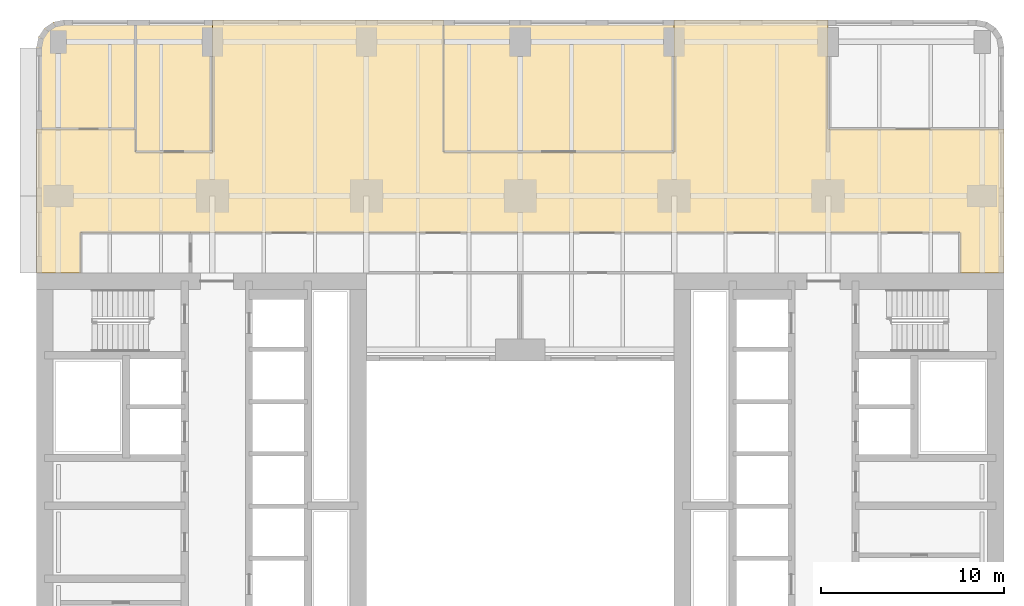
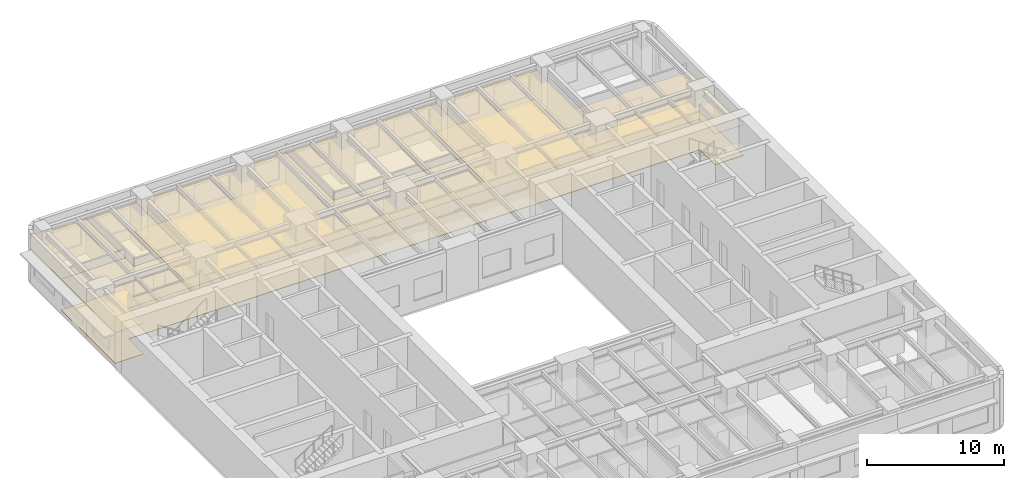
# One storey, part 13 of 14: 5 coverings.
"""IFC4 building model written with IfcOpenShell, lengths in metres."""

from ifc_helpers import new_model, si_unit, direction, frame, origin, place, context, subcontext, project, spatial, polyline, outline, extrude, material, layer, layer_set, type_object, element, save


model = new_model("IFC4")

# Units and contexts
model_context = context("Model", 3, precision=1e-05, world=origin(), true_north=direction((0.0, 1.0)))
body_context = subcontext(model_context, "Body", "Model", "MODEL_VIEW")
ifc_project = project(units=[si_unit("LENGTHUNIT", "METRE"), si_unit("AREAUNIT", "SQUARE_METRE"), si_unit("VOLUMEUNIT", "CUBIC_METRE"), si_unit("PLANEANGLEUNIT", "RADIAN"), si_unit("MASSUNIT", "GRAM", prefix="KILO")], contexts=[model_context])

# Site, building, storey
site_placement = place(None, origin())
site = spatial("IfcSite", under=ifc_project, at=site_placement, CompositionType="ELEMENT")
building_placement = place(site_placement, origin())
building = spatial("IfcBuilding", under=site, at=building_placement, Name="Claustro Exchange Tower", CompositionType="ELEMENT")
storey_placement = place(building_placement, frame((0.0, 0.0, 54.89990234375)))
storey = spatial("IfcBuildingStorey", under=building, at=storey_placement, Name="L12", CompositionType="ELEMENT", Elevation=54.89990234375)

# Coverings
ifc_material_1 = material(Name="Gypsum board ceiling", Category="gypsum board")
ifc_layer_1 = layer(ifc_material_1, 0.02490234375)
ifc_layer_set_1 = layer_set([ifc_layer_1], Name="Gypsum board ceiling")
covering_type_1 = type_object("IfcCoveringType", Name="CL2 plasterboard ceiling", PredefinedType="CEILING", material=ifc_layer_set_1)
covering_1_placement = place(storey_placement, frame((0.0, 0.0, 3.0)))
element("IfcCovering", 1, at=covering_1_placement, inside=storey, type_object=covering_type_1, Name="Ceiling CL2 L12-17", PredefinedType="CEILING", context=body_context, shape_type="SweptSolid", body=[
    extrude(outline(polyline([(-1.199951171875, 45.64990234375), (-1.199951171875, 37.800048828125), (1.199951171875, 37.800048828125), (1.199951171875, 40.0), (7.199951171875, 40.0), (49.199951171875, 40.0), (49.199951171875, 37.800048828125), (51.60009765625, 37.800048828125), (51.60009765625, 45.64990234375), (42.0, 45.64990234375), (42.0, 51.60009765625), (33.60009765625, 51.60009765625), (33.60009765625, 44.39990234375), (21.0, 44.39990234375), (21.0, 51.60009765625), (8.39990234375, 51.60009765625), (8.39990234375, 44.39990234375), (4.199951171875, 44.39990234375), (4.199951171875, 45.64990234375), (-1.199951171875, 45.64990234375)])), origin(), (0.0, 0.0, 1.0), 0.025146484375),
])
covering_2_placement = place(storey_placement, frame((0.0, 0.0, 3.0)))
element("IfcCovering", 2, at=covering_2_placement, inside=storey, type_object=covering_type_1, Name="Ceiling CL2 L12-18", PredefinedType="CEILING", context=body_context, shape_type="SweptSolid", body=[
    extrude(outline(polyline([(8.39990234375, 51.60009765625), (4.199951171875, 51.60009765625), (4.199951171875, 44.39990234375), (8.39990234375, 44.39990234375), (8.39990234375, 51.60009765625)])), origin(), (0.0, 0.0, 1.0), 0.025146484375),
])
covering_3_placement = place(storey_placement, frame((0.0, 0.0, 3.0)))
element("IfcCovering", 3, at=covering_3_placement, inside=storey, type_object=covering_type_1, Name="Ceiling CL2 L12-19", PredefinedType="CEILING", context=body_context, shape_type="SweptSolid", body=[
    extrude(outline(polyline([(33.60009765625, 51.60009765625), (21.0, 51.60009765625), (21.0, 44.39990234375), (33.60009765625, 44.39990234375), (33.60009765625, 51.60009765625)])), origin(), (0.0, 0.0, 1.0), 0.025146484375),
])
covering_4_placement = place(storey_placement, frame((0.0, 0.0, 3.0)))
element("IfcCovering", 4, at=covering_4_placement, inside=storey, type_object=covering_type_1, Name="Ceiling CL2 L12-20", PredefinedType="CEILING", context=body_context, shape_type="SweptSolid", body=[
    extrude(outline(polyline([(-1.199951171875, 50.10009765625), (-1.199951171875, 45.64990234375), (4.199951171875, 45.64990234375), (4.199951171875, 51.60009765625), (0.300048828125, 51.60009765625), (-0.27392578125, 51.48583984375), (-0.7607421875, 51.16064453125), (-1.085693359375, 50.674072265625), (-1.199951171875, 50.10009765625)])), origin(), (0.0, 0.0, 1.0), 0.025146484375),
])
ifc_material_2 = material(Name="Steel-encased raised floor panels on pedestals", Category="steel")
ifc_layer_2 = layer(ifc_material_2, 0.0400390625)
ifc_layer_set_2 = layer_set([ifc_layer_2], Name="Steel-encased raised floor panels on pedestals")
covering_type_2 = type_object("IfcCoveringType", Name="RF1 300 raised access floor", PredefinedType="FLOORING", material=ifc_layer_set_2)
covering_5_placement = place(storey_placement, frame((0.0, 0.0, 0.260009765625)))
element("IfcCovering", 5, at=covering_5_placement, inside=storey, type_object=covering_type_2, Name="Raised access floor RF1 L12-17", PredefinedType="FLOORING", context=body_context, shape_type="SweptSolid", body=[
    extrude(outline(polyline([(-1.199951171875, 45.64990234375), (-1.199951171875, 37.800048828125), (1.199951171875, 37.800048828125), (1.199951171875, 40.0), (7.199951171875, 40.0), (49.199951171875, 40.0), (49.199951171875, 37.800048828125), (51.60009765625, 37.800048828125), (51.60009765625, 45.64990234375), (42.0, 45.64990234375), (42.0, 51.60009765625), (33.60009765625, 51.60009765625), (33.60009765625, 44.39990234375), (21.0, 44.39990234375), (21.0, 51.60009765625), (8.39990234375, 51.60009765625), (8.39990234375, 44.39990234375), (4.199951171875, 44.39990234375), (4.199951171875, 45.64990234375), (-1.199951171875, 45.64990234375)])), origin(), (0.0, 0.0, 1.0), 0.0400390625),
])

save(model, "model.ifc")
